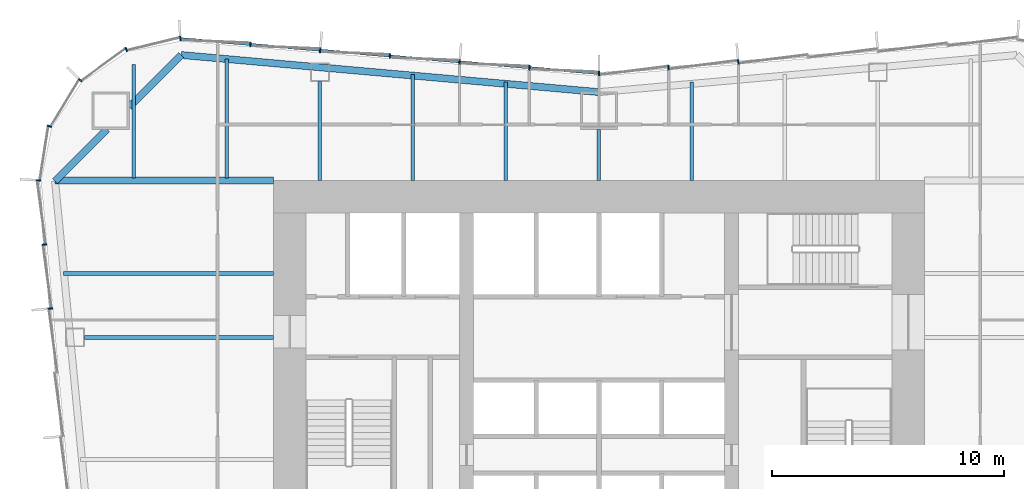
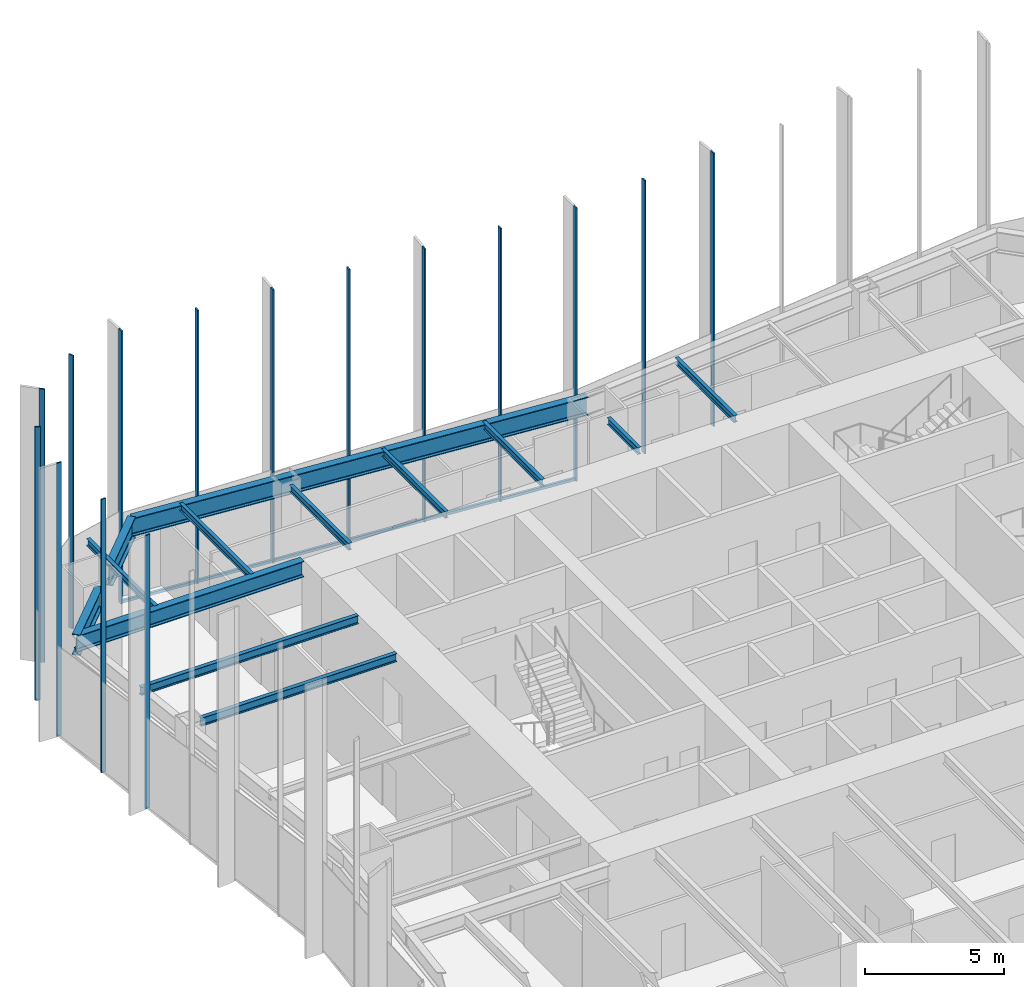
# One storey, part 6 of 13: 16 members, 13 beams, 3 elements without a shape of their own.
"""IFC4 building model written with IfcOpenShell, lengths in metres."""

from ifc_helpers import new_model, si_unit, direction, frame, origin, origin_2d, place, context, subcontext, project, spatial, rectangle, i_section, extrude, material, material_profile, profile_set, type_object, element, aggregate, save


model = new_model("IFC4")

# Units and contexts
model_context = context("Model", 3, precision=1e-05, world=origin(), true_north=direction((0.0, 1.0)))
body_context = subcontext(model_context, "Body", "Model", "MODEL_VIEW")
ifc_project = project(units=[si_unit("LENGTHUNIT", "METRE"), si_unit("AREAUNIT", "SQUARE_METRE"), si_unit("VOLUMEUNIT", "CUBIC_METRE"), si_unit("PLANEANGLEUNIT", "RADIAN"), si_unit("MASSUNIT", "GRAM", prefix="KILO")], contexts=[model_context])

# Site, building, storey
site_placement = place(None, origin())
site = spatial("IfcSite", under=ifc_project, at=site_placement, CompositionType="ELEMENT")
building_placement = place(site_placement, origin())
building = spatial("IfcBuilding", under=site, at=building_placement, Name="Verdant Reach Tower", CompositionType="ELEMENT")
storey_placement = place(building_placement, frame((0.0, 0.0, 38.0)))
storey = spatial("IfcBuildingStorey", under=building, at=storey_placement, Name="L08", CompositionType="ELEMENT", Elevation=38.0)

# Curtain wall, members
ifc_material_1 = material(Name="Anodised aluminium", Category="aluminium")
curtain_wall_type = type_object("IfcCurtainWallType", Name="EN-CW SYSTEM Z0", PredefinedType="NOTDEFINED", material=ifc_material_1)
curtain_wall_1_placement = place(storey_placement, origin())
curtain_wall_1 = element("IfcCurtainWall", 1, at=curtain_wall_1_placement, inside=storey, type_object=curtain_wall_type, Name="Curtain wall north, L08", PredefinedType="NOTDEFINED")
ifc_material_profile_1 = material_profile(ifc_material_1, rectangle(XDim=0.199951171875, YDim=0.06005859375, at=origin_2d()), Name="Mullion 60x200")
ifc_profile_set_1 = profile_set([ifc_material_profile_1], Name="Anodised aluminium")
member_type_1 = type_object("IfcMemberType", Name="EN-MULLION Z0", PredefinedType="MULLION", material=ifc_profile_set_1)
member_1_placement = place(storey_placement, frame((5.99169921875, 44.099609375, -0.35009765625), z_axis=(0.0, 0.0, 1.0), x_axis=(-0.083045479859, 0.996545758244, 0.0)))
member_1 = element("IfcMember", 2, at=member_1_placement, type_object=member_type_1, Name="Mullion north face part 1 5, L08", PredefinedType="MULLION", context=body_context, shape_type="SweptSolid", body=[
    extrude(rectangle(XDim=0.199951171875, YDim=0.06005859375, at=origin_2d()), origin(), (0.0, 0.0, 1.0), 12.0),
])
member_2_placement = place(storey_placement, frame((2.99169921875, 43.849609375, -0.35009765625), z_axis=(0.0, 0.0, 1.0), x_axis=(-0.083045479859, 0.996545758244, 0.0)))
member_2 = element("IfcMember", 3, at=member_2_placement, type_object=member_type_1, Name="Mullion north face part 1 6, L08", PredefinedType="MULLION", context=body_context, shape_type="SweptSolid", body=[
    extrude(rectangle(XDim=0.199951171875, YDim=0.06005859375, at=origin_2d()), origin(), (0.0, 0.0, 1.0), 12.0),
])
member_3_placement = place(storey_placement, frame((0.0, 43.60009765625, -0.35009765625), z_axis=(0.0, 0.0, 1.0), x_axis=(0.0, 1.0, 0.0)))
member_3 = element("IfcMember", 4, at=member_3_placement, type_object=member_type_1, Name="Mullion north face part 2 1, L08", PredefinedType="MULLION", context=body_context, shape_type="SweptSolid", body=[
    extrude(rectangle(XDim=0.199951171875, YDim=0.06005859375, at=origin_2d()), origin(), (0.0, 0.0, 1.0), 12.0),
])
member_4_placement = place(storey_placement, frame((-2.99169921875, 43.849609375, -0.35009765625), z_axis=(0.0, 0.0, 1.0), x_axis=(0.083045479859, 0.996545758244, 0.0)))
member_4 = element("IfcMember", 5, at=member_4_placement, type_object=member_type_1, Name="Mullion north face part 2 2, L08", PredefinedType="MULLION", context=body_context, shape_type="SweptSolid", body=[
    extrude(rectangle(XDim=0.199951171875, YDim=0.06005859375, at=origin_2d()), origin(), (0.0, 0.0, 1.0), 12.0),
])
member_5_placement = place(storey_placement, frame((-5.99169921875, 44.099609375, -0.35009765625), z_axis=(0.0, 0.0, 1.0), x_axis=(0.083045479859, 0.996545758244, 0.0)))
member_5 = element("IfcMember", 6, at=member_5_placement, type_object=member_type_1, Name="Mullion north face part 2 3, L08", PredefinedType="MULLION", context=body_context, shape_type="SweptSolid", body=[
    extrude(rectangle(XDim=0.199951171875, YDim=0.06005859375, at=origin_2d()), origin(), (0.0, 0.0, 1.0), 12.0),
])
member_6_placement = place(storey_placement, frame((-8.99169921875, 44.349609375, -0.35009765625), z_axis=(0.0, 0.0, 1.0), x_axis=(0.083045479859, 0.996545758244, 0.0)))
member_6 = element("IfcMember", 7, at=member_6_placement, type_object=member_type_1, Name="Mullion north face part 2 4, L08", PredefinedType="MULLION", context=body_context, shape_type="SweptSolid", body=[
    extrude(rectangle(XDim=0.199951171875, YDim=0.06005859375, at=origin_2d()), origin(), (0.0, 0.0, 1.0), 12.0),
])
member_7_placement = place(storey_placement, frame((-11.99169921875, 44.599609375, -0.35009765625), z_axis=(0.0, 0.0, 1.0), x_axis=(0.083045479859, 0.996545758244, 0.0)))
member_7 = element("IfcMember", 8, at=member_7_placement, type_object=member_type_1, Name="Mullion north face part 2 5, L08", PredefinedType="MULLION", context=body_context, shape_type="SweptSolid", body=[
    extrude(rectangle(XDim=0.199951171875, YDim=0.06005859375, at=origin_2d()), origin(), (0.0, 0.0, 1.0), 12.0),
])
member_8_placement = place(storey_placement, frame((-14.99169921875, 44.849609375, -0.35009765625), z_axis=(0.0, 0.0, 1.0), x_axis=(0.083045479859, 0.996545758244, 0.0)))
member_8 = element("IfcMember", 9, at=member_8_placement, type_object=member_type_1, Name="Mullion north face part 2 6, L08", PredefinedType="MULLION", context=body_context, shape_type="SweptSolid", body=[
    extrude(rectangle(XDim=0.199951171875, YDim=0.06005859375, at=origin_2d()), origin(), (0.0, 0.0, 1.0), 12.0),
])

curtain_wall_2_placement = place(storey_placement, origin())
curtain_wall_2 = element("IfcCurtainWall", 10, at=curtain_wall_2_placement, inside=storey, type_object=curtain_wall_type, Name="Curtain wall north-west corner, L08", PredefinedType="NOTDEFINED")
member_9_placement = place(storey_placement, frame((-18.005615234375, 45.099853515625, -0.35009765625), z_axis=(0.0, 0.0, 1.0), x_axis=(-0.056569187765, 0.998398681387, 0.0)))
member_9 = element("IfcMember", 11, at=member_9_placement, type_object=member_type_1, Name="Mullion north-west corner 1, L08", PredefinedType="MULLION", context=body_context, shape_type="SweptSolid", body=[
    extrude(rectangle(XDim=0.199951171875, YDim=0.06005859375, at=origin_2d()), origin(), (0.0, 0.0, 1.0), 12.0),
])
member_10_placement = place(storey_placement, frame((-20.33447265625, 44.6357421875, -0.35009765625), z_axis=(0.0, 0.0, 1.0), x_axis=(-0.382693853776, 0.923875215753, 0.0)))
member_10 = element("IfcMember", 12, at=member_10_placement, type_object=member_type_1, Name="Mullion north-west corner 2, L08", PredefinedType="MULLION", context=body_context, shape_type="SweptSolid", body=[
    extrude(rectangle(XDim=0.199951171875, YDim=0.06005859375, at=origin_2d()), origin(), (0.0, 0.0, 1.0), 12.0),
])
member_11_placement = place(storey_placement, frame((-22.313232421875, 43.313232421875, -0.35009765625), z_axis=(0.0, 0.0, 1.0), x_axis=(-0.707106781187, 0.707106781187, 0.0)))
member_11 = element("IfcMember", 13, at=member_11_placement, type_object=member_type_1, Name="Mullion north-west corner 3, L08", PredefinedType="MULLION", context=body_context, shape_type="SweptSolid", body=[
    extrude(rectangle(XDim=0.199951171875, YDim=0.06005859375, at=origin_2d()), origin(), (0.0, 0.0, 1.0), 12.0),
])
member_12_placement = place(storey_placement, frame((-23.6357421875, 41.33447265625, -0.35009765625), z_axis=(0.0, 0.0, 1.0), x_axis=(-0.923875215753, 0.382693853776, 0.0)))
member_12 = element("IfcMember", 14, at=member_12_placement, type_object=member_type_1, Name="Mullion north-west corner 4, L08", PredefinedType="MULLION", context=body_context, shape_type="SweptSolid", body=[
    extrude(rectangle(XDim=0.199951171875, YDim=0.06005859375, at=origin_2d()), origin(), (0.0, 0.0, 1.0), 12.0),
])
aggregate(curtain_wall_2, [member_9, member_10, member_11, member_12])

curtain_wall_3_placement = place(storey_placement, origin())
curtain_wall_3 = element("IfcCurtainWall", 15, at=curtain_wall_3_placement, inside=storey, type_object=curtain_wall_type, Name="Curtain wall west, L08", PredefinedType="NOTDEFINED")
member_13_placement = place(storey_placement, frame((-24.099853515625, 39.00537109375, -0.35009765625), z_axis=(0.0, 0.0, 1.0), x_axis=(-0.998604288049, 0.052815489107, 0.0)))
member_13 = element("IfcMember", 16, at=member_13_placement, type_object=member_type_1, Name="Mullion west face part 1 1, L08", PredefinedType="MULLION", context=body_context, shape_type="SweptSolid", body=[
    extrude(rectangle(XDim=0.199951171875, YDim=0.06005859375, at=origin_2d()), origin(), (0.0, 0.0, 1.0), 12.0),
])
member_14_placement = place(storey_placement, frame((-23.849609375, 36.240966796875, -0.35009765625), z_axis=(0.0, 0.0, 1.0), x_axis=(-0.995893206467, -0.090535746047, 0.0)))
member_14 = element("IfcMember", 17, at=member_14_placement, type_object=member_type_1, Name="Mullion west face part 1 2, L08", PredefinedType="MULLION", context=body_context, shape_type="SweptSolid", body=[
    extrude(rectangle(XDim=0.199951171875, YDim=0.06005859375, at=origin_2d()), origin(), (0.0, 0.0, 1.0), 12.0),
])
member_15_placement = place(storey_placement, frame((-23.599609375, 33.490966796875, -0.35009765625), z_axis=(0.0, 0.0, 1.0), x_axis=(-0.995893206467, -0.090535746047, 0.0)))
member_15 = element("IfcMember", 18, at=member_15_placement, type_object=member_type_1, Name="Mullion west face part 1 3, L08", PredefinedType="MULLION", context=body_context, shape_type="SweptSolid", body=[
    extrude(rectangle(XDim=0.199951171875, YDim=0.06005859375, at=origin_2d()), origin(), (0.0, 0.0, 1.0), 12.0),
])
aggregate(curtain_wall_3, [member_13, member_14, member_15])

# Member
ifc_material_profile_2 = material_profile(ifc_material_1, rectangle(XDim=0.10009765625, YDim=0.1201171875, at=origin_2d()), Name="Transom 120x100")
ifc_profile_set_2 = profile_set([ifc_material_profile_2], Name="Anodised aluminium")
member_type_2 = type_object("IfcMemberType", Name="EN-TRANSOM Z0", PredefinedType="USERDEFINED", material=ifc_profile_set_2)
member_16_placement = place(storey_placement, frame((-0.02978515625, 43.6025390625, -0.2900390625), z_axis=(-0.996548656072, 0.083010698588, 0.0), x_axis=(-0.083010698588, -0.996548656072, 0.0)))
member_16 = element("IfcMember", 19, at=member_16_placement, type_object=member_type_2, Name="Transom north face part 2 1.1, L08", ObjectType="TRANSOM", PredefinedType="USERDEFINED", context=body_context, shape_type="SweptSolid", body=[
    extrude(rectangle(XDim=0.10009765625, YDim=0.1201171875, at=origin_2d()), origin(), (0.0, 0.0, 1.0), 18.00830078125),
])

aggregate(curtain_wall_1, [member_1, member_2, member_3, member_4, member_5, member_6, member_7, member_8, member_16])

# Beams
ifc_material_2 = material(Name="Steel S355", Category="steel")
ifc_material_profile_3 = material_profile(ifc_material_2, i_section(OverallWidth=0.300048828125, OverallDepth=0.699951171875, WebThickness=0.01708984375, FlangeThickness=0.031982421875, FilletRadius=0.027099609375, at=origin_2d()), Name="HEB 700")
ifc_profile_set_3 = profile_set([ifc_material_profile_3], Name="Steel S355")
beam_type_1 = type_object("IfcBeamType", Name="ST-BEAM-HEB700", PredefinedType="BEAM", material=ifc_profile_set_3)
beam_1_placement = place(storey_placement, frame((-14.0, 39.0, 3.52001953125), z_axis=(-1.0, 0.0, 0.0), x_axis=(0.0, -1.0, 0.0)))
element("IfcBeam", 20, at=beam_1_placement, inside=storey, type_object=beam_type_1, Name="Trimmer beam, L08", PredefinedType="BEAM", context=body_context, shape_type="SweptSolid", body=[
    extrude(i_section(OverallWidth=0.300048828125, OverallDepth=0.699951171875, WebThickness=0.01708984375, FlangeThickness=0.031982421875, FilletRadius=0.027099609375, at=origin_2d()), origin(), (0.0, 0.0, 1.0), 9.38818359375),
])
ifc_material_profile_4 = material_profile(ifc_material_2, i_section(OverallWidth=0.14990234375, OverallDepth=0.300048828125, WebThickness=0.007080078125, FlangeThickness=0.0107421875, FilletRadius=0.014892578125, at=origin_2d()), Name="IPE 300")
ifc_profile_set_4 = profile_set([ifc_material_profile_4], Name="Steel S355")
beam_type_2 = type_object("IfcBeamType", Name="ST-JOIST-IPE300", PredefinedType="JOIST", material=ifc_profile_set_4)
beam_2_placement = place(storey_placement, frame((-20.0, 39.10009765625, 3.719970703125), z_axis=(0.0, 1.0, 0.0), x_axis=(-1.0, 0.0, 0.0)))
element("IfcBeam", 21, at=beam_2_placement, inside=storey, type_object=beam_type_2, Name="Floor joist, L08", PredefinedType="JOIST", context=body_context, shape_type="SweptSolid", body=[
    extrude(i_section(OverallWidth=0.14990234375, OverallDepth=0.300048828125, WebThickness=0.007080078125, FlangeThickness=0.0107421875, FilletRadius=0.014892578125, at=origin_2d()), origin(), (0.0, 0.0, 1.0), 4.890380859375),
])
beam_3_placement = place(storey_placement, frame((-16.0, 39.10009765625, 3.719970703125), z_axis=(0.0, 1.0, 0.0), x_axis=(-1.0, 0.0, 0.0)))
element("IfcBeam", 22, at=beam_3_placement, inside=storey, type_object=beam_type_2, Name="Floor joist, L08", PredefinedType="JOIST", context=body_context, shape_type="SweptSolid", body=[
    extrude(i_section(OverallWidth=0.14990234375, OverallDepth=0.300048828125, WebThickness=0.007080078125, FlangeThickness=0.0107421875, FilletRadius=0.014892578125, at=origin_2d()), origin(), (0.0, 0.0, 1.0), 5.131103515625),
])
beam_4_placement = place(storey_placement, frame((-12.0, 39.0, 3.719970703125), z_axis=(0.0, 1.0, 0.0), x_axis=(-1.0, 0.0, 0.0)))
element("IfcBeam", 23, at=beam_4_placement, inside=storey, type_object=beam_type_2, Name="Floor joist, L08", PredefinedType="JOIST", context=body_context, shape_type="SweptSolid", body=[
    extrude(i_section(OverallWidth=0.14990234375, OverallDepth=0.300048828125, WebThickness=0.007080078125, FlangeThickness=0.0107421875, FilletRadius=0.014892578125, at=origin_2d()), origin(), (0.0, 0.0, 1.0), 4.25),
])
beam_5_placement = place(storey_placement, frame((-8.0, 39.0, 3.719970703125), z_axis=(0.0, 1.0, 0.0), x_axis=(-1.0, 0.0, 0.0)))
element("IfcBeam", 24, at=beam_5_placement, inside=storey, type_object=beam_type_2, Name="Floor joist, L08", PredefinedType="JOIST", context=body_context, shape_type="SweptSolid", body=[
    extrude(i_section(OverallWidth=0.14990234375, OverallDepth=0.300048828125, WebThickness=0.007080078125, FlangeThickness=0.0107421875, FilletRadius=0.014892578125, at=origin_2d()), origin(), (0.0, 0.0, 1.0), 4.564697265625),
])
beam_6_placement = place(storey_placement, frame((-4.0, 39.0, 3.719970703125), z_axis=(0.0, 1.0, 0.0), x_axis=(-1.0, 0.0, 0.0)))
element("IfcBeam", 25, at=beam_6_placement, inside=storey, type_object=beam_type_2, Name="Floor joist, L08", PredefinedType="JOIST", context=body_context, shape_type="SweptSolid", body=[
    extrude(i_section(OverallWidth=0.14990234375, OverallDepth=0.300048828125, WebThickness=0.007080078125, FlangeThickness=0.0107421875, FilletRadius=0.014892578125, at=origin_2d()), origin(), (0.0, 0.0, 1.0), 4.231201171875),
])
beam_7_placement = place(storey_placement, frame((0.0, 39.0, 3.719970703125), z_axis=(0.0, 1.0, 0.0), x_axis=(-1.0, 0.0, 0.0)))
element("IfcBeam", 26, at=beam_7_placement, inside=storey, type_object=beam_type_2, Name="Floor joist, L08", PredefinedType="JOIST", context=body_context, shape_type="SweptSolid", body=[
    extrude(i_section(OverallWidth=0.14990234375, OverallDepth=0.300048828125, WebThickness=0.007080078125, FlangeThickness=0.0107421875, FilletRadius=0.014892578125, at=origin_2d()), origin(), (0.0, 0.0, 1.0), 2.199951171875),
])
beam_8_placement = place(storey_placement, frame((4.0, 39.0, 3.719970703125), z_axis=(0.0, 1.0, 0.0), x_axis=(-1.0, 0.0, 0.0)))
element("IfcBeam", 27, at=beam_8_placement, inside=storey, type_object=beam_type_2, Name="Floor joist, L08", PredefinedType="JOIST", context=body_context, shape_type="SweptSolid", body=[
    extrude(i_section(OverallWidth=0.14990234375, OverallDepth=0.300048828125, WebThickness=0.007080078125, FlangeThickness=0.0107421875, FilletRadius=0.014892578125, at=origin_2d()), origin(), (0.0, 0.0, 1.0), 4.231201171875),
])
ifc_material_profile_5 = material_profile(ifc_material_2, i_section(OverallWidth=0.169921875, OverallDepth=0.360107421875, WebThickness=0.008056640625, FlangeThickness=0.0126953125, FilletRadius=0.01806640625, at=origin_2d()), Name="IPE 360")
ifc_profile_set_5 = profile_set([ifc_material_profile_5], Name="Steel S355")
beam_type_3 = type_object("IfcBeamType", Name="ST-JOIST-IPE360", PredefinedType="JOIST", material=ifc_profile_set_5)
beam_9_placement = place(storey_placement, frame((-14.0, 32.25, 3.68994140625), z_axis=(-1.0, 0.0, 0.0), x_axis=(0.0, -1.0, 0.0)))
element("IfcBeam", 28, at=beam_9_placement, inside=storey, type_object=beam_type_3, Name="Floor joist, L08", PredefinedType="JOIST", context=body_context, shape_type="SweptSolid", body=[
    extrude(i_section(OverallWidth=0.169921875, OverallDepth=0.360107421875, WebThickness=0.008056640625, FlangeThickness=0.0126953125, FilletRadius=0.01806640625, at=origin_2d()), origin(), (0.0, 0.0, 1.0), 8.136474609375),
])
beam_10_placement = place(storey_placement, frame((-14.0, 35.0, 3.68994140625), z_axis=(-1.0, 0.0, 0.0), x_axis=(0.0, -1.0, 0.0)))
element("IfcBeam", 29, at=beam_10_placement, inside=storey, type_object=beam_type_3, Name="Floor joist, L08", PredefinedType="JOIST", context=body_context, shape_type="SweptSolid", body=[
    extrude(i_section(OverallWidth=0.169921875, OverallDepth=0.360107421875, WebThickness=0.008056640625, FlangeThickness=0.0126953125, FilletRadius=0.01806640625, at=origin_2d()), origin(), (0.0, 0.0, 1.0), 9.033935546875),
])
ifc_material_profile_6 = material_profile(ifc_material_2, i_section(OverallWidth=0.300048828125, OverallDepth=0.800048828125, WebThickness=0.017578125, FlangeThickness=0.032958984375, FilletRadius=0.030029296875, at=origin_2d()), Name="HEB 800")
ifc_profile_set_6 = profile_set([ifc_material_profile_6], Name="Steel S355")
beam_type_4 = type_object("IfcBeamType", Name="ST-SPANDREL-HEB800", PredefinedType="SPANDREL", material=ifc_profile_set_6)
beam_11_placement = place(storey_placement, frame((-17.9658203125, 44.39501953125, 3.469970703125), z_axis=(0.996082370463, -0.088430262084, 0.0), x_axis=(0.088430262084, 0.996082370463, 0.0)))
element("IfcBeam", 30, at=beam_11_placement, inside=storey, type_object=beam_type_4, Name="Edge beam, L08", PredefinedType="SPANDREL", context=body_context, shape_type="SweptSolid", body=[
    extrude(i_section(OverallWidth=0.300048828125, OverallDepth=0.800048828125, WebThickness=0.017578125, FlangeThickness=0.032958984375, FilletRadius=0.030029296875, at=origin_2d()), origin(), (0.0, 0.0, 1.0), 18.036376953125),
])
ifc_material_profile_7 = material_profile(ifc_material_2, i_section(OverallWidth=0.302001953125, OverallDepth=0.909912109375, WebThickness=0.02099609375, FlangeThickness=0.0400390625, FilletRadius=0.030029296875, at=origin_2d()), Name="HEM 900")
ifc_profile_set_7 = profile_set([ifc_material_profile_7], Name="Steel S355")
beam_type_5 = type_object("IfcBeamType", Name="ST-SPANDREL-HEM900", PredefinedType="SPANDREL", material=ifc_profile_set_7)
beam_12_placement = place(storey_placement, frame((-23.39453125, 38.968017578125, 3.4150390625), z_axis=(0.70722277322, 0.706990770123, 0.0), x_axis=(-0.706990770123, 0.70722277322, 0.0)))
element("IfcBeam", 31, at=beam_12_placement, inside=storey, type_object=beam_type_5, Name="Edge beam, L08", PredefinedType="SPANDREL", context=body_context, shape_type="SweptSolid", body=[
    extrude(i_section(OverallWidth=0.302001953125, OverallDepth=0.909912109375, WebThickness=0.02099609375, FlangeThickness=0.0400390625, FilletRadius=0.030029296875, at=origin_2d()), origin(), (0.0, 0.0, 1.0), 3.156982421875),
])
beam_13_placement = place(storey_placement, frame((-20.199951171875, 42.16162109375, 3.4150390625), z_axis=(0.707222697162, 0.706990846206, 0.0), x_axis=(-0.706990846206, 0.707222697162, 0.0)))
element("IfcBeam", 32, at=beam_13_placement, inside=storey, type_object=beam_type_5, Name="Edge beam, L08", PredefinedType="SPANDREL", context=body_context, shape_type="SweptSolid", body=[
    extrude(i_section(OverallWidth=0.302001953125, OverallDepth=0.909912109375, WebThickness=0.02099609375, FlangeThickness=0.0400390625, FilletRadius=0.030029296875, at=origin_2d()), origin(), (0.0, 0.0, 1.0), 3.158935546875),
])

save(model, "model.ifc")
